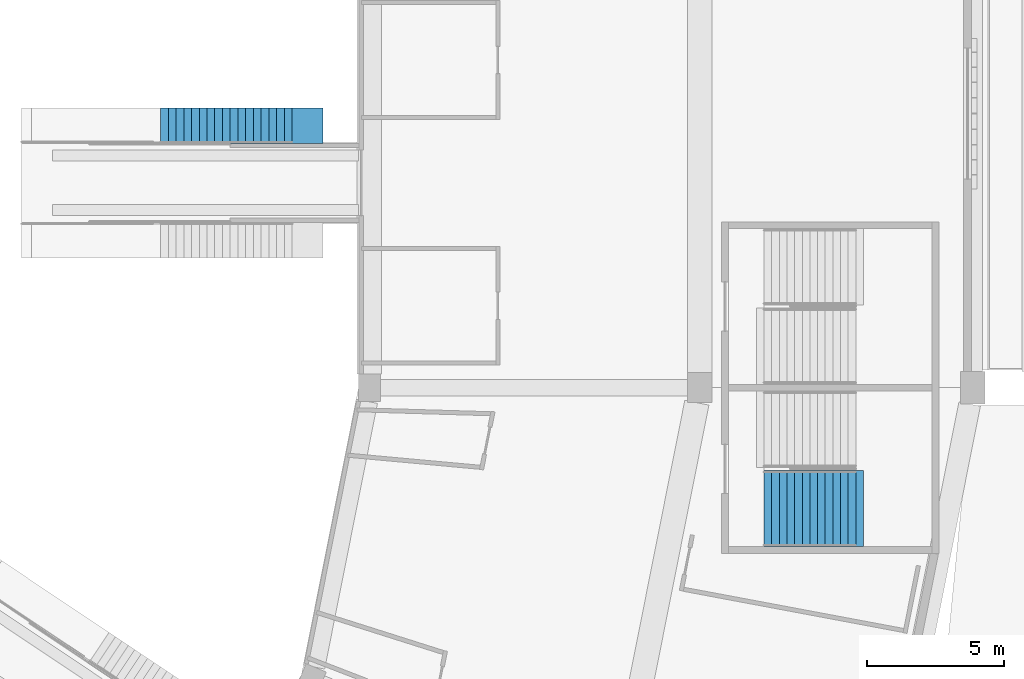
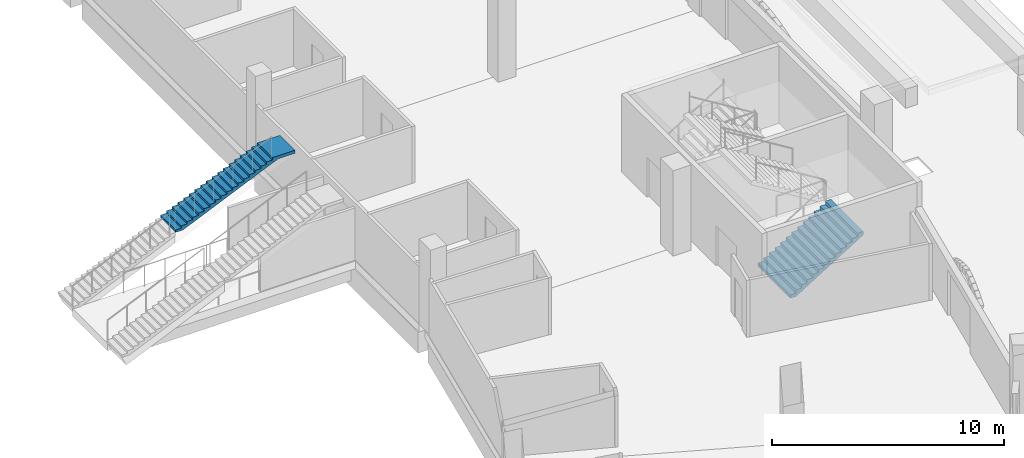
# One storey, part 94 of 175: 2 stair flights, 2 elements without a shape of their own.
"""IFC4 building model written with IfcOpenShell, lengths in metres."""

from ifc_helpers import new_model, si_unit, direction, frame, origin, place, context, subcontext, project, spatial, faceted_brep, material, type_object, element, aggregate, save


model = new_model("IFC4")

# Units and contexts
model_context = context("Model", 3, precision=1e-05, world=origin(), true_north=direction((0.0, 1.0)))
body_context = subcontext(model_context, "Body", "Model", "MODEL_VIEW")
ifc_project = project(units=[si_unit("LENGTHUNIT", "METRE"), si_unit("AREAUNIT", "SQUARE_METRE"), si_unit("VOLUMEUNIT", "CUBIC_METRE"), si_unit("PLANEANGLEUNIT", "RADIAN"), si_unit("MASSUNIT", "GRAM", prefix="KILO")], contexts=[model_context])

# Site, building, storey
site_placement = place(None, origin())
site = spatial("IfcSite", under=ifc_project, at=site_placement, CompositionType="ELEMENT")
building_placement = place(site_placement, origin())
building = spatial("IfcBuilding", under=site, at=building_placement, Name="Ogive Plaza Stadium", CompositionType="ELEMENT")
storey_placement = place(building_placement, origin())
storey = spatial("IfcBuildingStorey", under=building, at=storey_placement, Name="L00", CompositionType="ELEMENT", Elevation=0.0)

# Stair, stair flight
ifc_material_1 = material(Name="Concrete C40/50", Category="concrete")
stair_type_1 = type_object("IfcStairType", Name="Aisle stair", PredefinedType="STRAIGHT_RUN_STAIR", material=ifc_material_1)
stair_1_placement = place(storey_placement, origin())
stair_1 = element("IfcStair", 1, at=stair_1_placement, inside=storey, type_object=stair_type_1, Name="Aisle stair SA07R", PredefinedType="STRAIGHT_RUN_STAIR")
ifc_material_2 = material(Name="Concrete C40/50", Category="concrete")
stair_flight_type_1 = type_object("IfcStairFlightType", Name="Aisle stair flight", PredefinedType="STRAIGHT", material=ifc_material_2)
stair_flight_1_placement = place(storey_placement, frame((54.25, -42.89990234375, 2.25), z_axis=(0.0, 0.0, 1.0), x_axis=(1.0, 0.0, 0.0)))
stair_flight_1 = element("IfcStairFlight", 2, at=stair_flight_1_placement, type_object=stair_flight_type_1, Name="SA07R flight 2", NumberOfRisers=18, NumberOfTreads=17, PredefinedType="STRAIGHT", RiserHeight=0.125, TreadLength=0.283333333, context=body_context, shape_type="Brep", body=[
    faceted_brep([(0.371337890625, -0.64990234375, 0.0), (5.10009765625, -0.64990234375, 2.086181640625), (5.949951171875, -0.64990234375, 2.086181640625), (5.949951171875, -0.64990234375, 2.25), (4.816650390625, -0.64990234375, 2.25), (4.816650390625, -0.64990234375, 2.125), (4.533447265625, -0.64990234375, 2.125), (4.533447265625, -0.64990234375, 2.0), (4.25, -0.64990234375, 2.0), (4.25, -0.64990234375, 1.875), (3.966552734375, -0.64990234375, 1.875), (3.966552734375, -0.64990234375, 1.75), (3.683349609375, -0.64990234375, 1.75), (3.683349609375, -0.64990234375, 1.625), (3.39990234375, -0.64990234375, 1.625), (3.39990234375, -0.64990234375, 1.5), (3.11669921875, -0.64990234375, 1.5), (3.11669921875, -0.64990234375, 1.375), (2.833251953125, -0.64990234375, 1.375), (2.833251953125, -0.64990234375, 1.25), (2.550048828125, -0.64990234375, 1.25), (2.550048828125, -0.64990234375, 1.125), (2.2666015625, -0.64990234375, 1.125), (2.2666015625, -0.64990234375, 1.0), (1.9833984375, -0.64990234375, 1.0), (1.9833984375, -0.64990234375, 0.875), (1.699951171875, -0.64990234375, 0.875), (1.699951171875, -0.64990234375, 0.75), (1.416748046875, -0.64990234375, 0.75), (1.416748046875, -0.64990234375, 0.625), (1.13330078125, -0.64990234375, 0.625), (1.13330078125, -0.64990234375, 0.5), (0.85009765625, -0.64990234375, 0.5), (0.85009765625, -0.64990234375, 0.375), (0.566650390625, -0.64990234375, 0.375), (0.566650390625, -0.64990234375, 0.25), (0.283447265625, -0.64990234375, 0.25), (0.283447265625, -0.64990234375, 0.125), (0.0, -0.64990234375, 0.125), (0.0, -0.64990234375, 0.0), (0.0, 0.64990234375, 0.0), (0.0, 0.64990234375, 0.125), (0.283447265625, 0.64990234375, 0.125), (0.283447265625, 0.64990234375, 0.25), (0.566650390625, 0.64990234375, 0.25), (0.566650390625, 0.64990234375, 0.375), (0.85009765625, 0.64990234375, 0.375), (0.85009765625, 0.64990234375, 0.5), (1.13330078125, 0.64990234375, 0.5), (1.13330078125, 0.64990234375, 0.625), (1.416748046875, 0.64990234375, 0.625), (1.416748046875, 0.64990234375, 0.75), (1.699951171875, 0.64990234375, 0.75), (1.699951171875, 0.64990234375, 0.875), (1.9833984375, 0.64990234375, 0.875), (1.9833984375, 0.64990234375, 1.0), (2.2666015625, 0.64990234375, 1.0), (2.2666015625, 0.64990234375, 1.125), (2.550048828125, 0.64990234375, 1.125), (2.550048828125, 0.64990234375, 1.25), (2.833251953125, 0.64990234375, 1.25), (2.833251953125, 0.64990234375, 1.375), (3.11669921875, 0.64990234375, 1.375), (3.11669921875, 0.64990234375, 1.5), (3.39990234375, 0.64990234375, 1.5), (3.39990234375, 0.64990234375, 1.625), (3.683349609375, 0.64990234375, 1.625), (3.683349609375, 0.64990234375, 1.75), (3.966552734375, 0.64990234375, 1.75), (3.966552734375, 0.64990234375, 1.875), (4.25, 0.64990234375, 1.875), (4.25, 0.64990234375, 2.0), (4.533447265625, 0.64990234375, 2.0), (4.533447265625, 0.64990234375, 2.125), (4.816650390625, 0.64990234375, 2.125), (4.816650390625, 0.64990234375, 2.25), (5.949951171875, 0.64990234375, 2.25), (5.949951171875, 0.64990234375, 2.086181640625), (5.10009765625, 0.64990234375, 2.086181640625), (0.371337890625, 0.64990234375, 0.0), (0.371337890625, -0.324951171875, 0.0), (5.10009765625, -0.324951171875, 2.086181640625), (0.371337890625, 0.0, 0.0), (5.10009765625, 0.0, 2.086181640625), (0.371337890625, 0.324951171875, 0.0), (5.10009765625, 0.324951171875, 2.086181640625), (5.949951171875, -0.324951171875, 2.086181640625), (5.949951171875, 0.0, 2.086181640625), (5.949951171875, 0.324951171875, 2.086181640625), (5.949951171875, -0.324951171875, 2.25), (5.949951171875, 0.0, 2.25), (5.949951171875, 0.324951171875, 2.25), (4.816650390625, -0.324951171875, 2.25), (4.816650390625, 0.0, 2.25), (4.816650390625, 0.324951171875, 2.25), (4.816650390625, -0.324951171875, 2.125), (4.816650390625, 0.0, 2.125), (4.816650390625, 0.324951171875, 2.125), (4.533447265625, -0.324951171875, 2.125), (4.533447265625, 0.0, 2.125), (4.533447265625, 0.324951171875, 2.125), (4.533447265625, -0.324951171875, 2.0), (4.533447265625, 0.0, 2.0), (4.533447265625, 0.324951171875, 2.0), (4.25, -0.324951171875, 2.0), (4.25, 0.0, 2.0), (4.25, 0.324951171875, 2.0), (4.25, -0.324951171875, 1.875), (4.25, 0.0, 1.875), (4.25, 0.324951171875, 1.875), (3.966552734375, -0.324951171875, 1.875), (3.966552734375, 0.0, 1.875), (3.966552734375, 0.324951171875, 1.875), (3.966552734375, -0.324951171875, 1.75), (3.966552734375, 0.0, 1.75), (3.966552734375, 0.324951171875, 1.75), (3.683349609375, -0.324951171875, 1.75), (3.683349609375, 0.0, 1.75), (3.683349609375, 0.324951171875, 1.75), (3.683349609375, -0.324951171875, 1.625), (3.683349609375, 0.0, 1.625), (3.683349609375, 0.324951171875, 1.625), (3.39990234375, -0.324951171875, 1.625), (3.39990234375, 0.0, 1.625), (3.39990234375, 0.324951171875, 1.625), (3.39990234375, -0.324951171875, 1.5), (3.39990234375, 0.0, 1.5), (3.39990234375, 0.324951171875, 1.5), (3.11669921875, -0.324951171875, 1.5), (3.11669921875, 0.0, 1.5), (3.11669921875, 0.324951171875, 1.5), (3.11669921875, -0.324951171875, 1.375), (3.11669921875, 0.0, 1.375), (3.11669921875, 0.324951171875, 1.375), (2.833251953125, -0.324951171875, 1.375), (2.833251953125, 0.0, 1.375), (2.833251953125, 0.324951171875, 1.375), (2.833251953125, -0.324951171875, 1.25), (2.833251953125, 0.0, 1.25), (2.833251953125, 0.324951171875, 1.25), (2.550048828125, -0.324951171875, 1.25), (2.550048828125, 0.0, 1.25), (2.550048828125, 0.324951171875, 1.25), (2.550048828125, -0.324951171875, 1.125), (2.550048828125, 0.0, 1.125), (2.550048828125, 0.324951171875, 1.125), (2.2666015625, -0.324951171875, 1.125), (2.2666015625, 0.0, 1.125), (2.2666015625, 0.324951171875, 1.125), (2.2666015625, -0.324951171875, 1.0), (2.2666015625, 0.0, 1.0), (2.2666015625, 0.324951171875, 1.0), (1.9833984375, -0.324951171875, 1.0), (1.9833984375, 0.0, 1.0), (1.9833984375, 0.324951171875, 1.0), (1.9833984375, -0.324951171875, 0.875), (1.9833984375, 0.0, 0.875), (1.9833984375, 0.324951171875, 0.875), (1.699951171875, -0.324951171875, 0.875), (1.699951171875, 0.0, 0.875), (1.699951171875, 0.324951171875, 0.875), (1.699951171875, -0.324951171875, 0.75), (1.699951171875, 0.0, 0.75), (1.699951171875, 0.324951171875, 0.75), (1.416748046875, -0.324951171875, 0.75), (1.416748046875, 0.0, 0.75), (1.416748046875, 0.324951171875, 0.75), (1.416748046875, -0.324951171875, 0.625), (1.416748046875, 0.0, 0.625), (1.416748046875, 0.324951171875, 0.625), (1.13330078125, -0.324951171875, 0.625), (1.13330078125, 0.0, 0.625), (1.13330078125, 0.324951171875, 0.625), (1.13330078125, -0.324951171875, 0.5), (1.13330078125, 0.0, 0.5), (1.13330078125, 0.324951171875, 0.5), (0.85009765625, -0.324951171875, 0.5), (0.85009765625, 0.0, 0.5), (0.85009765625, 0.324951171875, 0.5), (0.85009765625, -0.324951171875, 0.375), (0.85009765625, 0.0, 0.375), (0.85009765625, 0.324951171875, 0.375), (0.566650390625, -0.324951171875, 0.375), (0.566650390625, 0.0, 0.375), (0.566650390625, 0.324951171875, 0.375), (0.566650390625, -0.324951171875, 0.25), (0.566650390625, 0.0, 0.25), (0.566650390625, 0.324951171875, 0.25), (0.283447265625, -0.324951171875, 0.25), (0.283447265625, 0.0, 0.25), (0.283447265625, 0.324951171875, 0.25), (0.283447265625, -0.324951171875, 0.125), (0.283447265625, 0.0, 0.125), (0.283447265625, 0.324951171875, 0.125), (0.0, -0.324951171875, 0.125), (0.0, 0.0, 0.125), (0.0, 0.324951171875, 0.125), (0.0, -0.324951171875, 0.0), (0.0, 0.0, 0.0), (0.0, 0.324951171875, 0.0)], [[[0, 1, 2, 3, 4, 5, 6, 7, 8, 9, 10, 11, 12, 13, 14, 15, 16, 17, 18, 19, 20, 21, 22, 23, 24, 25, 26, 27, 28, 29, 30, 31, 32, 33, 34, 35, 36, 37, 38, 39]], [[40, 41, 42, 43, 44, 45, 46, 47, 48, 49, 50, 51, 52, 53, 54, 55, 56, 57, 58, 59, 60, 61, 62, 63, 64, 65, 66, 67, 68, 69, 70, 71, 72, 73, 74, 75, 76, 77, 78, 79]], [[0, 80, 81, 1]], [[80, 82, 83, 81]], [[82, 84, 85, 83]], [[84, 79, 78, 85]], [[1, 81, 86, 2]], [[81, 83, 87, 86]], [[83, 85, 88, 87]], [[85, 78, 77, 88]], [[2, 86, 89, 3]], [[86, 87, 90, 89]], [[87, 88, 91, 90]], [[88, 77, 76, 91]], [[3, 89, 92, 4]], [[89, 90, 93, 92]], [[90, 91, 94, 93]], [[91, 76, 75, 94]], [[4, 92, 95, 5]], [[92, 93, 96, 95]], [[93, 94, 97, 96]], [[94, 75, 74, 97]], [[5, 95, 98, 6]], [[95, 96, 99, 98]], [[96, 97, 100, 99]], [[97, 74, 73, 100]], [[6, 98, 101, 7]], [[98, 99, 102, 101]], [[99, 100, 103, 102]], [[100, 73, 72, 103]], [[7, 101, 104, 8]], [[101, 102, 105, 104]], [[102, 103, 106, 105]], [[103, 72, 71, 106]], [[8, 104, 107, 9]], [[104, 105, 108, 107]], [[105, 106, 109, 108]], [[106, 71, 70, 109]], [[9, 107, 110, 10]], [[107, 108, 111, 110]], [[108, 109, 112, 111]], [[109, 70, 69, 112]], [[10, 110, 113, 11]], [[110, 111, 114, 113]], [[111, 112, 115, 114]], [[112, 69, 68, 115]], [[11, 113, 116, 12]], [[113, 114, 117, 116]], [[114, 115, 118, 117]], [[115, 68, 67, 118]], [[12, 116, 119, 13]], [[116, 117, 120, 119]], [[117, 118, 121, 120]], [[118, 67, 66, 121]], [[13, 119, 122, 14]], [[119, 120, 123, 122]], [[120, 121, 124, 123]], [[121, 66, 65, 124]], [[14, 122, 125, 15]], [[122, 123, 126, 125]], [[123, 124, 127, 126]], [[124, 65, 64, 127]], [[15, 125, 128, 16]], [[125, 126, 129, 128]], [[126, 127, 130, 129]], [[127, 64, 63, 130]], [[16, 128, 131, 17]], [[128, 129, 132, 131]], [[129, 130, 133, 132]], [[130, 63, 62, 133]], [[17, 131, 134, 18]], [[131, 132, 135, 134]], [[132, 133, 136, 135]], [[133, 62, 61, 136]], [[18, 134, 137, 19]], [[134, 135, 138, 137]], [[135, 136, 139, 138]], [[136, 61, 60, 139]], [[19, 137, 140, 20]], [[137, 138, 141, 140]], [[138, 139, 142, 141]], [[139, 60, 59, 142]], [[20, 140, 143, 21]], [[140, 141, 144, 143]], [[141, 142, 145, 144]], [[142, 59, 58, 145]], [[21, 143, 146, 22]], [[143, 144, 147, 146]], [[144, 145, 148, 147]], [[145, 58, 57, 148]], [[22, 146, 149, 23]], [[146, 147, 150, 149]], [[147, 148, 151, 150]], [[148, 57, 56, 151]], [[23, 149, 152, 24]], [[149, 150, 153, 152]], [[150, 151, 154, 153]], [[151, 56, 55, 154]], [[24, 152, 155, 25]], [[152, 153, 156, 155]], [[153, 154, 157, 156]], [[154, 55, 54, 157]], [[25, 155, 158, 26]], [[155, 156, 159, 158]], [[156, 157, 160, 159]], [[157, 54, 53, 160]], [[26, 158, 161, 27]], [[158, 159, 162, 161]], [[159, 160, 163, 162]], [[160, 53, 52, 163]], [[27, 161, 164, 28]], [[161, 162, 165, 164]], [[162, 163, 166, 165]], [[163, 52, 51, 166]], [[28, 164, 167, 29]], [[164, 165, 168, 167]], [[165, 166, 169, 168]], [[166, 51, 50, 169]], [[29, 167, 170, 30]], [[167, 168, 171, 170]], [[168, 169, 172, 171]], [[169, 50, 49, 172]], [[30, 170, 173, 31]], [[170, 171, 174, 173]], [[171, 172, 175, 174]], [[172, 49, 48, 175]], [[31, 173, 176, 32]], [[173, 174, 177, 176]], [[174, 175, 178, 177]], [[175, 48, 47, 178]], [[32, 176, 179, 33]], [[176, 177, 180, 179]], [[177, 178, 181, 180]], [[178, 47, 46, 181]], [[33, 179, 182, 34]], [[179, 180, 183, 182]], [[180, 181, 184, 183]], [[181, 46, 45, 184]], [[34, 182, 185, 35]], [[182, 183, 186, 185]], [[183, 184, 187, 186]], [[184, 45, 44, 187]], [[35, 185, 188, 36]], [[185, 186, 189, 188]], [[186, 187, 190, 189]], [[187, 44, 43, 190]], [[36, 188, 191, 37]], [[188, 189, 192, 191]], [[189, 190, 193, 192]], [[190, 43, 42, 193]], [[37, 191, 194, 38]], [[191, 192, 195, 194]], [[192, 193, 196, 195]], [[193, 42, 41, 196]], [[38, 194, 197, 39]], [[194, 195, 198, 197]], [[195, 196, 199, 198]], [[196, 41, 40, 199]], [[39, 197, 80, 0]], [[197, 198, 82, 80]], [[198, 199, 84, 82]], [[199, 40, 79, 84]]]),
])
aggregate(stair_1, [stair_flight_1])

ifc_material_3 = material(Name="Concrete C40/50", Category="concrete")
stair_type_2 = type_object("IfcStairType", Name="Exit stair", PredefinedType="STRAIGHT_RUN_STAIR", material=ifc_material_3)
stair_2_placement = place(storey_placement, origin())
stair_2 = element("IfcStair", 3, at=stair_2_placement, inside=storey, type_object=stair_type_2, Name="Exit stair ST08A L00 to L01", PredefinedType="STRAIGHT_RUN_STAIR")
ifc_material_4 = material(Name="Concrete C40/50", Category="concrete")
stair_flight_type_2 = type_object("IfcStairFlightType", Name="Exit stair flight", PredefinedType="STRAIGHT", material=ifc_material_4)
stair_flight_2_placement = place(storey_placement, frame((76.35009765625, -56.925048828125, 0.0), z_axis=(0.0, 0.0, 1.0), x_axis=(1.0, 0.0, 0.0)))
stair_flight_2 = element("IfcStairFlight", 4, at=stair_flight_2_placement, type_object=stair_flight_type_2, Name="ST08A flight 1", NumberOfRisers=13, NumberOfTreads=12, PredefinedType="STRAIGHT", RiserHeight=0.173076923, TreadLength=0.28, context=body_context, shape_type="Brep", body=[
    faceted_brep([(0.28515625, -1.39990234375, 0.0), (3.639892578125, -1.39990234375, 2.07373046875), (3.639892578125, -1.39990234375, 2.25), (3.360107421875, -1.39990234375, 2.25), (3.360107421875, -1.39990234375, 2.076904296875), (3.080078125, -1.39990234375, 2.076904296875), (3.080078125, -1.39990234375, 1.90380859375), (2.800048828125, -1.39990234375, 1.90380859375), (2.800048828125, -1.39990234375, 1.730712890625), (2.52001953125, -1.39990234375, 1.730712890625), (2.52001953125, -1.39990234375, 1.5576171875), (2.239990234375, -1.39990234375, 1.5576171875), (2.239990234375, -1.39990234375, 1.384521484375), (1.9599609375, -1.39990234375, 1.384521484375), (1.9599609375, -1.39990234375, 1.21142578125), (1.679931640625, -1.39990234375, 1.21142578125), (1.679931640625, -1.39990234375, 1.03857421875), (1.39990234375, -1.39990234375, 1.03857421875), (1.39990234375, -1.39990234375, 0.865478515625), (1.1201171875, -1.39990234375, 0.865478515625), (1.1201171875, -1.39990234375, 0.6923828125), (0.840087890625, -1.39990234375, 0.6923828125), (0.840087890625, -1.39990234375, 0.519287109375), (0.56005859375, -1.39990234375, 0.519287109375), (0.56005859375, -1.39990234375, 0.34619140625), (0.280029296875, -1.39990234375, 0.34619140625), (0.280029296875, -1.39990234375, 0.173095703125), (0.0, -1.39990234375, 0.173095703125), (0.0, -1.39990234375, 0.0), (0.0, 1.39990234375, 0.0), (0.0, 1.39990234375, 0.173095703125), (0.280029296875, 1.39990234375, 0.173095703125), (0.280029296875, 1.39990234375, 0.34619140625), (0.56005859375, 1.39990234375, 0.34619140625), (0.56005859375, 1.39990234375, 0.519287109375), (0.840087890625, 1.39990234375, 0.519287109375), (0.840087890625, 1.39990234375, 0.6923828125), (1.1201171875, 1.39990234375, 0.6923828125), (1.1201171875, 1.39990234375, 0.865478515625), (1.39990234375, 1.39990234375, 0.865478515625), (1.39990234375, 1.39990234375, 1.03857421875), (1.679931640625, 1.39990234375, 1.03857421875), (1.679931640625, 1.39990234375, 1.21142578125), (1.9599609375, 1.39990234375, 1.21142578125), (1.9599609375, 1.39990234375, 1.384521484375), (2.239990234375, 1.39990234375, 1.384521484375), (2.239990234375, 1.39990234375, 1.5576171875), (2.52001953125, 1.39990234375, 1.5576171875), (2.52001953125, 1.39990234375, 1.730712890625), (2.800048828125, 1.39990234375, 1.730712890625), (2.800048828125, 1.39990234375, 1.90380859375), (3.080078125, 1.39990234375, 1.90380859375), (3.080078125, 1.39990234375, 2.076904296875), (3.360107421875, 1.39990234375, 2.076904296875), (3.360107421875, 1.39990234375, 2.25), (3.639892578125, 1.39990234375, 2.25), (3.639892578125, 1.39990234375, 2.07373046875), (0.28515625, 1.39990234375, 0.0), (0.28515625, -1.0888671875, 0.0), (3.639892578125, -1.0888671875, 2.07373046875), (0.28515625, -0.77783203125, 0.0), (3.639892578125, -0.77783203125, 2.07373046875), (0.28515625, -0.466796875, 0.0), (3.639892578125, -0.466796875, 2.07373046875), (0.28515625, -0.155517578125, 0.0), (3.639892578125, -0.155517578125, 2.07373046875), (0.28515625, 0.155517578125, 0.0), (3.639892578125, 0.155517578125, 2.07373046875), (0.28515625, 0.466796875, 0.0), (3.639892578125, 0.466796875, 2.07373046875), (0.28515625, 0.77783203125, 0.0), (3.639892578125, 0.77783203125, 2.07373046875), (0.28515625, 1.0888671875, 0.0), (3.639892578125, 1.0888671875, 2.07373046875), (3.639892578125, -1.0888671875, 2.25), (3.639892578125, -0.77783203125, 2.25), (3.639892578125, -0.466796875, 2.25), (3.639892578125, -0.155517578125, 2.25), (3.639892578125, 0.155517578125, 2.25), (3.639892578125, 0.466796875, 2.25), (3.639892578125, 0.77783203125, 2.25), (3.639892578125, 1.0888671875, 2.25), (3.360107421875, -1.0888671875, 2.25), (3.360107421875, -0.77783203125, 2.25), (3.360107421875, -0.466796875, 2.25), (3.360107421875, -0.155517578125, 2.25), (3.360107421875, 0.155517578125, 2.25), (3.360107421875, 0.466796875, 2.25), (3.360107421875, 0.77783203125, 2.25), (3.360107421875, 1.0888671875, 2.25), (3.360107421875, -1.0888671875, 2.076904296875), (3.360107421875, -0.77783203125, 2.076904296875), (3.360107421875, -0.466796875, 2.076904296875), (3.360107421875, -0.155517578125, 2.076904296875), (3.360107421875, 0.155517578125, 2.076904296875), (3.360107421875, 0.466796875, 2.076904296875), (3.360107421875, 0.77783203125, 2.076904296875), (3.360107421875, 1.0888671875, 2.076904296875), (3.080078125, -1.0888671875, 2.076904296875), (3.080078125, -0.77783203125, 2.076904296875), (3.080078125, -0.466796875, 2.076904296875), (3.080078125, -0.155517578125, 2.076904296875), (3.080078125, 0.155517578125, 2.076904296875), (3.080078125, 0.466796875, 2.076904296875), (3.080078125, 0.77783203125, 2.076904296875), (3.080078125, 1.0888671875, 2.076904296875), (3.080078125, -1.0888671875, 1.90380859375), (3.080078125, -0.77783203125, 1.90380859375), (3.080078125, -0.466796875, 1.90380859375), (3.080078125, -0.155517578125, 1.90380859375), (3.080078125, 0.155517578125, 1.90380859375), (3.080078125, 0.466796875, 1.90380859375), (3.080078125, 0.77783203125, 1.90380859375), (3.080078125, 1.0888671875, 1.90380859375), (2.800048828125, -1.0888671875, 1.90380859375), (2.800048828125, -0.77783203125, 1.90380859375), (2.800048828125, -0.466796875, 1.90380859375), (2.800048828125, -0.155517578125, 1.90380859375), (2.800048828125, 0.155517578125, 1.90380859375), (2.800048828125, 0.466796875, 1.90380859375), (2.800048828125, 0.77783203125, 1.90380859375), (2.800048828125, 1.0888671875, 1.90380859375), (2.800048828125, -1.0888671875, 1.730712890625), (2.800048828125, -0.77783203125, 1.730712890625), (2.800048828125, -0.466796875, 1.730712890625), (2.800048828125, -0.155517578125, 1.730712890625), (2.800048828125, 0.155517578125, 1.730712890625), (2.800048828125, 0.466796875, 1.730712890625), (2.800048828125, 0.77783203125, 1.730712890625), (2.800048828125, 1.0888671875, 1.730712890625), (2.52001953125, -1.0888671875, 1.730712890625), (2.52001953125, -0.77783203125, 1.730712890625), (2.52001953125, -0.466796875, 1.730712890625), (2.52001953125, -0.155517578125, 1.730712890625), (2.52001953125, 0.155517578125, 1.730712890625), (2.52001953125, 0.466796875, 1.730712890625), (2.52001953125, 0.77783203125, 1.730712890625), (2.52001953125, 1.0888671875, 1.730712890625), (2.52001953125, -1.0888671875, 1.5576171875), (2.52001953125, -0.77783203125, 1.5576171875), (2.52001953125, -0.466796875, 1.5576171875), (2.52001953125, -0.155517578125, 1.5576171875), (2.52001953125, 0.155517578125, 1.5576171875), (2.52001953125, 0.466796875, 1.5576171875), (2.52001953125, 0.77783203125, 1.5576171875), (2.52001953125, 1.0888671875, 1.5576171875), (2.239990234375, -1.0888671875, 1.5576171875), (2.239990234375, -0.77783203125, 1.5576171875), (2.239990234375, -0.466796875, 1.5576171875), (2.239990234375, -0.155517578125, 1.5576171875), (2.239990234375, 0.155517578125, 1.5576171875), (2.239990234375, 0.466796875, 1.5576171875), (2.239990234375, 0.77783203125, 1.5576171875), (2.239990234375, 1.0888671875, 1.5576171875), (2.239990234375, -1.0888671875, 1.384521484375), (2.239990234375, -0.77783203125, 1.384521484375), (2.239990234375, -0.466796875, 1.384521484375), (2.239990234375, -0.155517578125, 1.384521484375), (2.239990234375, 0.155517578125, 1.384521484375), (2.239990234375, 0.466796875, 1.384521484375), (2.239990234375, 0.77783203125, 1.384521484375), (2.239990234375, 1.0888671875, 1.384521484375), (1.9599609375, -1.0888671875, 1.384521484375), (1.9599609375, -0.77783203125, 1.384521484375), (1.9599609375, -0.466796875, 1.384521484375), (1.9599609375, -0.155517578125, 1.384521484375), (1.9599609375, 0.155517578125, 1.384521484375), (1.9599609375, 0.466796875, 1.384521484375), (1.9599609375, 0.77783203125, 1.384521484375), (1.9599609375, 1.0888671875, 1.384521484375), (1.9599609375, -1.0888671875, 1.21142578125), (1.9599609375, -0.77783203125, 1.21142578125), (1.9599609375, -0.466796875, 1.21142578125), (1.9599609375, -0.155517578125, 1.21142578125), (1.9599609375, 0.155517578125, 1.21142578125), (1.9599609375, 0.466796875, 1.21142578125), (1.9599609375, 0.77783203125, 1.21142578125), (1.9599609375, 1.0888671875, 1.21142578125), (1.679931640625, -1.0888671875, 1.21142578125), (1.679931640625, -0.77783203125, 1.21142578125), (1.679931640625, -0.466796875, 1.21142578125), (1.679931640625, -0.155517578125, 1.21142578125), (1.679931640625, 0.155517578125, 1.21142578125), (1.679931640625, 0.466796875, 1.21142578125), (1.679931640625, 0.77783203125, 1.21142578125), (1.679931640625, 1.0888671875, 1.21142578125), (1.679931640625, -1.0888671875, 1.03857421875), (1.679931640625, -0.77783203125, 1.03857421875), (1.679931640625, -0.466796875, 1.03857421875), (1.679931640625, -0.155517578125, 1.03857421875), (1.679931640625, 0.155517578125, 1.03857421875), (1.679931640625, 0.466796875, 1.03857421875), (1.679931640625, 0.77783203125, 1.03857421875), (1.679931640625, 1.0888671875, 1.03857421875), (1.39990234375, -1.0888671875, 1.03857421875), (1.39990234375, -0.77783203125, 1.03857421875), (1.39990234375, -0.466796875, 1.03857421875), (1.39990234375, -0.155517578125, 1.03857421875), (1.39990234375, 0.155517578125, 1.03857421875), (1.39990234375, 0.466796875, 1.03857421875), (1.39990234375, 0.77783203125, 1.03857421875), (1.39990234375, 1.0888671875, 1.03857421875), (1.39990234375, -1.0888671875, 0.865478515625), (1.39990234375, -0.77783203125, 0.865478515625), (1.39990234375, -0.466796875, 0.865478515625), (1.39990234375, -0.155517578125, 0.865478515625), (1.39990234375, 0.155517578125, 0.865478515625), (1.39990234375, 0.466796875, 0.865478515625), (1.39990234375, 0.77783203125, 0.865478515625), (1.39990234375, 1.0888671875, 0.865478515625), (1.1201171875, -1.0888671875, 0.865478515625), (1.1201171875, -0.77783203125, 0.865478515625), (1.1201171875, -0.466796875, 0.865478515625), (1.1201171875, -0.155517578125, 0.865478515625), (1.1201171875, 0.155517578125, 0.865478515625), (1.1201171875, 0.466796875, 0.865478515625), (1.1201171875, 0.77783203125, 0.865478515625), (1.1201171875, 1.0888671875, 0.865478515625), (1.1201171875, -1.0888671875, 0.6923828125), (1.1201171875, -0.77783203125, 0.6923828125), (1.1201171875, -0.466796875, 0.6923828125), (1.1201171875, -0.155517578125, 0.6923828125), (1.1201171875, 0.155517578125, 0.6923828125), (1.1201171875, 0.466796875, 0.6923828125), (1.1201171875, 0.77783203125, 0.6923828125), (1.1201171875, 1.0888671875, 0.6923828125), (0.840087890625, -1.0888671875, 0.6923828125), (0.840087890625, -0.77783203125, 0.6923828125), (0.840087890625, -0.466796875, 0.6923828125), (0.840087890625, -0.155517578125, 0.6923828125), (0.840087890625, 0.155517578125, 0.6923828125), (0.840087890625, 0.466796875, 0.6923828125), (0.840087890625, 0.77783203125, 0.6923828125), (0.840087890625, 1.0888671875, 0.6923828125), (0.840087890625, -1.0888671875, 0.519287109375), (0.840087890625, -0.77783203125, 0.519287109375), (0.840087890625, -0.466796875, 0.519287109375), (0.840087890625, -0.155517578125, 0.519287109375), (0.840087890625, 0.155517578125, 0.519287109375), (0.840087890625, 0.466796875, 0.519287109375), (0.840087890625, 0.77783203125, 0.519287109375), (0.840087890625, 1.0888671875, 0.519287109375), (0.56005859375, -1.0888671875, 0.519287109375), (0.56005859375, -0.77783203125, 0.519287109375), (0.56005859375, -0.466796875, 0.519287109375), (0.56005859375, -0.155517578125, 0.519287109375), (0.56005859375, 0.155517578125, 0.519287109375), (0.56005859375, 0.466796875, 0.519287109375), (0.56005859375, 0.77783203125, 0.519287109375), (0.56005859375, 1.0888671875, 0.519287109375), (0.56005859375, -1.0888671875, 0.34619140625), (0.56005859375, -0.77783203125, 0.34619140625), (0.56005859375, -0.466796875, 0.34619140625), (0.56005859375, -0.155517578125, 0.34619140625), (0.56005859375, 0.155517578125, 0.34619140625), (0.56005859375, 0.466796875, 0.34619140625), (0.56005859375, 0.77783203125, 0.34619140625), (0.56005859375, 1.0888671875, 0.34619140625), (0.280029296875, -1.0888671875, 0.34619140625), (0.280029296875, -0.77783203125, 0.34619140625), (0.280029296875, -0.466796875, 0.34619140625), (0.280029296875, -0.155517578125, 0.34619140625), (0.280029296875, 0.155517578125, 0.34619140625), (0.280029296875, 0.466796875, 0.34619140625), (0.280029296875, 0.77783203125, 0.34619140625), (0.280029296875, 1.0888671875, 0.34619140625), (0.280029296875, -1.0888671875, 0.173095703125), (0.280029296875, -0.77783203125, 0.173095703125), (0.280029296875, -0.466796875, 0.173095703125), (0.280029296875, -0.155517578125, 0.173095703125), (0.280029296875, 0.155517578125, 0.173095703125), (0.280029296875, 0.466796875, 0.173095703125), (0.280029296875, 0.77783203125, 0.173095703125), (0.280029296875, 1.0888671875, 0.173095703125), (0.0, -1.0888671875, 0.173095703125), (0.0, -0.77783203125, 0.173095703125), (0.0, -0.466796875, 0.173095703125), (0.0, -0.155517578125, 0.173095703125), (0.0, 0.155517578125, 0.173095703125), (0.0, 0.466796875, 0.173095703125), (0.0, 0.77783203125, 0.173095703125), (0.0, 1.0888671875, 0.173095703125), (0.0, -1.0888671875, 0.0), (0.0, -0.77783203125, 0.0), (0.0, -0.466796875, 0.0), (0.0, -0.155517578125, 0.0), (0.0, 0.155517578125, 0.0), (0.0, 0.466796875, 0.0), (0.0, 0.77783203125, 0.0), (0.0, 1.0888671875, 0.0)], [[[0, 1, 2, 3, 4, 5, 6, 7, 8, 9, 10, 11, 12, 13, 14, 15, 16, 17, 18, 19, 20, 21, 22, 23, 24, 25, 26, 27, 28]], [[29, 30, 31, 32, 33, 34, 35, 36, 37, 38, 39, 40, 41, 42, 43, 44, 45, 46, 47, 48, 49, 50, 51, 52, 53, 54, 55, 56, 57]], [[0, 58, 59, 1]], [[58, 60, 61, 59]], [[60, 62, 63, 61]], [[62, 64, 65, 63]], [[64, 66, 67, 65]], [[66, 68, 69, 67]], [[68, 70, 71, 69]], [[70, 72, 73, 71]], [[72, 57, 56, 73]], [[1, 59, 74, 2]], [[59, 61, 75, 74]], [[61, 63, 76, 75]], [[63, 65, 77, 76]], [[65, 67, 78, 77]], [[67, 69, 79, 78]], [[69, 71, 80, 79]], [[71, 73, 81, 80]], [[73, 56, 55, 81]], [[2, 74, 82, 3]], [[74, 75, 83, 82]], [[75, 76, 84, 83]], [[76, 77, 85, 84]], [[77, 78, 86, 85]], [[78, 79, 87, 86]], [[79, 80, 88, 87]], [[80, 81, 89, 88]], [[81, 55, 54, 89]], [[3, 82, 90, 4]], [[82, 83, 91, 90]], [[83, 84, 92, 91]], [[84, 85, 93, 92]], [[85, 86, 94, 93]], [[86, 87, 95, 94]], [[87, 88, 96, 95]], [[88, 89, 97, 96]], [[89, 54, 53, 97]], [[4, 90, 98, 5]], [[90, 91, 99, 98]], [[91, 92, 100, 99]], [[92, 93, 101, 100]], [[93, 94, 102, 101]], [[94, 95, 103, 102]], [[95, 96, 104, 103]], [[96, 97, 105, 104]], [[97, 53, 52, 105]], [[5, 98, 106, 6]], [[98, 99, 107, 106]], [[99, 100, 108, 107]], [[100, 101, 109, 108]], [[101, 102, 110, 109]], [[102, 103, 111, 110]], [[103, 104, 112, 111]], [[104, 105, 113, 112]], [[105, 52, 51, 113]], [[6, 106, 114, 7]], [[106, 107, 115, 114]], [[107, 108, 116, 115]], [[108, 109, 117, 116]], [[109, 110, 118, 117]], [[110, 111, 119, 118]], [[111, 112, 120, 119]], [[112, 113, 121, 120]], [[113, 51, 50, 121]], [[7, 114, 122, 8]], [[114, 115, 123, 122]], [[115, 116, 124, 123]], [[116, 117, 125, 124]], [[117, 118, 126, 125]], [[118, 119, 127, 126]], [[119, 120, 128, 127]], [[120, 121, 129, 128]], [[121, 50, 49, 129]], [[8, 122, 130, 9]], [[122, 123, 131, 130]], [[123, 124, 132, 131]], [[124, 125, 133, 132]], [[125, 126, 134, 133]], [[126, 127, 135, 134]], [[127, 128, 136, 135]], [[128, 129, 137, 136]], [[129, 49, 48, 137]], [[9, 130, 138, 10]], [[130, 131, 139, 138]], [[131, 132, 140, 139]], [[132, 133, 141, 140]], [[133, 134, 142, 141]], [[134, 135, 143, 142]], [[135, 136, 144, 143]], [[136, 137, 145, 144]], [[137, 48, 47, 145]], [[10, 138, 146, 11]], [[138, 139, 147, 146]], [[139, 140, 148, 147]], [[140, 141, 149, 148]], [[141, 142, 150, 149]], [[142, 143, 151, 150]], [[143, 144, 152, 151]], [[144, 145, 153, 152]], [[145, 47, 46, 153]], [[11, 146, 154, 12]], [[146, 147, 155, 154]], [[147, 148, 156, 155]], [[148, 149, 157, 156]], [[149, 150, 158, 157]], [[150, 151, 159, 158]], [[151, 152, 160, 159]], [[152, 153, 161, 160]], [[153, 46, 45, 161]], [[12, 154, 162, 13]], [[154, 155, 163, 162]], [[155, 156, 164, 163]], [[156, 157, 165, 164]], [[157, 158, 166, 165]], [[158, 159, 167, 166]], [[159, 160, 168, 167]], [[160, 161, 169, 168]], [[161, 45, 44, 169]], [[13, 162, 170, 14]], [[162, 163, 171, 170]], [[163, 164, 172, 171]], [[164, 165, 173, 172]], [[165, 166, 174, 173]], [[166, 167, 175, 174]], [[167, 168, 176, 175]], [[168, 169, 177, 176]], [[169, 44, 43, 177]], [[14, 170, 178, 15]], [[170, 171, 179, 178]], [[171, 172, 180, 179]], [[172, 173, 181, 180]], [[173, 174, 182, 181]], [[174, 175, 183, 182]], [[175, 176, 184, 183]], [[176, 177, 185, 184]], [[177, 43, 42, 185]], [[15, 178, 186, 16]], [[178, 179, 187, 186]], [[179, 180, 188, 187]], [[180, 181, 189, 188]], [[181, 182, 190, 189]], [[182, 183, 191, 190]], [[183, 184, 192, 191]], [[184, 185, 193, 192]], [[185, 42, 41, 193]], [[16, 186, 194, 17]], [[186, 187, 195, 194]], [[187, 188, 196, 195]], [[188, 189, 197, 196]], [[189, 190, 198, 197]], [[190, 191, 199, 198]], [[191, 192, 200, 199]], [[192, 193, 201, 200]], [[193, 41, 40, 201]], [[17, 194, 202, 18]], [[194, 195, 203, 202]], [[195, 196, 204, 203]], [[196, 197, 205, 204]], [[197, 198, 206, 205]], [[198, 199, 207, 206]], [[199, 200, 208, 207]], [[200, 201, 209, 208]], [[201, 40, 39, 209]], [[18, 202, 210, 19]], [[202, 203, 211, 210]], [[203, 204, 212, 211]], [[204, 205, 213, 212]], [[205, 206, 214, 213]], [[206, 207, 215, 214]], [[207, 208, 216, 215]], [[208, 209, 217, 216]], [[209, 39, 38, 217]], [[19, 210, 218, 20]], [[210, 211, 219, 218]], [[211, 212, 220, 219]], [[212, 213, 221, 220]], [[213, 214, 222, 221]], [[214, 215, 223, 222]], [[215, 216, 224, 223]], [[216, 217, 225, 224]], [[217, 38, 37, 225]], [[20, 218, 226, 21]], [[218, 219, 227, 226]], [[219, 220, 228, 227]], [[220, 221, 229, 228]], [[221, 222, 230, 229]], [[222, 223, 231, 230]], [[223, 224, 232, 231]], [[224, 225, 233, 232]], [[225, 37, 36, 233]], [[21, 226, 234, 22]], [[226, 227, 235, 234]], [[227, 228, 236, 235]], [[228, 229, 237, 236]], [[229, 230, 238, 237]], [[230, 231, 239, 238]], [[231, 232, 240, 239]], [[232, 233, 241, 240]], [[233, 36, 35, 241]], [[22, 234, 242, 23]], [[234, 235, 243, 242]], [[235, 236, 244, 243]], [[236, 237, 245, 244]], [[237, 238, 246, 245]], [[238, 239, 247, 246]], [[239, 240, 248, 247]], [[240, 241, 249, 248]], [[241, 35, 34, 249]], [[23, 242, 250, 24]], [[242, 243, 251, 250]], [[243, 244, 252, 251]], [[244, 245, 253, 252]], [[245, 246, 254, 253]], [[246, 247, 255, 254]], [[247, 248, 256, 255]], [[248, 249, 257, 256]], [[249, 34, 33, 257]], [[24, 250, 258, 25]], [[250, 251, 259, 258]], [[251, 252, 260, 259]], [[252, 253, 261, 260]], [[253, 254, 262, 261]], [[254, 255, 263, 262]], [[255, 256, 264, 263]], [[256, 257, 265, 264]], [[257, 33, 32, 265]], [[25, 258, 266, 26]], [[258, 259, 267, 266]], [[259, 260, 268, 267]], [[260, 261, 269, 268]], [[261, 262, 270, 269]], [[262, 263, 271, 270]], [[263, 264, 272, 271]], [[264, 265, 273, 272]], [[265, 32, 31, 273]], [[26, 266, 274, 27]], [[266, 267, 275, 274]], [[267, 268, 276, 275]], [[268, 269, 277, 276]], [[269, 270, 278, 277]], [[270, 271, 279, 278]], [[271, 272, 280, 279]], [[272, 273, 281, 280]], [[273, 31, 30, 281]], [[27, 274, 282, 28]], [[274, 275, 283, 282]], [[275, 276, 284, 283]], [[276, 277, 285, 284]], [[277, 278, 286, 285]], [[278, 279, 287, 286]], [[279, 280, 288, 287]], [[280, 281, 289, 288]], [[281, 30, 29, 289]], [[28, 282, 58, 0]], [[282, 283, 60, 58]], [[283, 284, 62, 60]], [[284, 285, 64, 62]], [[285, 286, 66, 64]], [[286, 287, 68, 66]], [[287, 288, 70, 68]], [[288, 289, 72, 70]], [[289, 29, 57, 72]]]),
])
aggregate(stair_2, [stair_flight_2])

save(model, "model.ifc")
